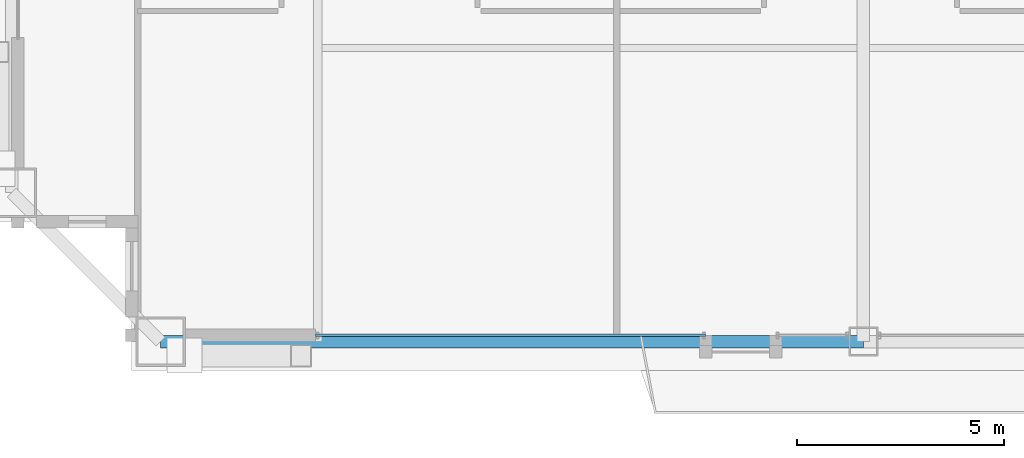
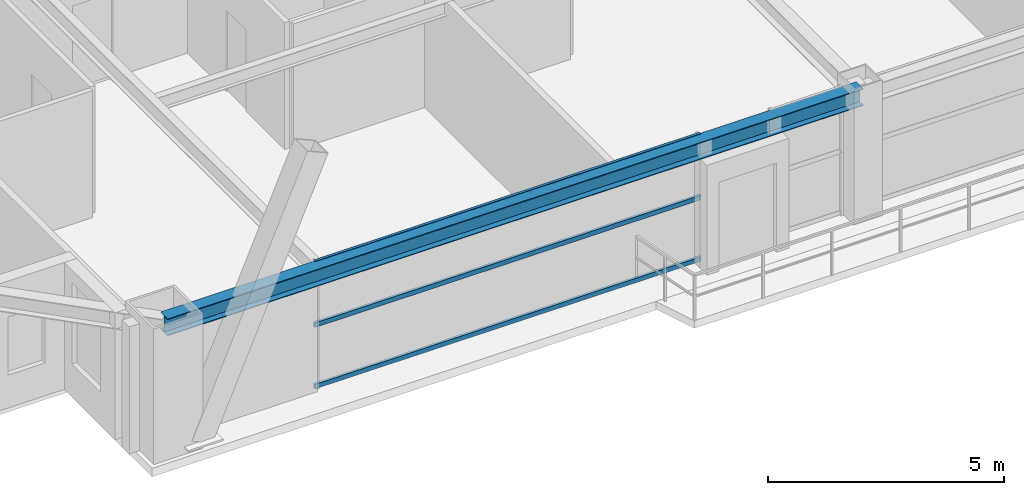
# One storey, part 4 of 33: 3 members, 1 beam, 1 element without a shape of its own.
"""IFC4 building model written with IfcOpenShell, lengths in metres."""

from ifc_helpers import new_model, si_unit, direction, frame, origin, origin_2d, place, context, subcontext, project, spatial, hollow_rectangle, i_section, extrude, source, transform, mapped, material, layer, layer_set, material_profile, profile_set, type_object, element, aggregate, save


model = new_model("IFC4")

# Units and contexts
model_context = context("Model", 3, precision=1e-05, world=origin(), true_north=direction((0.0, 1.0)))
body_context = subcontext(model_context, "Body", "Model", "MODEL_VIEW")
ifc_project = project(units=[si_unit("LENGTHUNIT", "METRE"), si_unit("AREAUNIT", "SQUARE_METRE"), si_unit("VOLUMEUNIT", "CUBIC_METRE"), si_unit("PLANEANGLEUNIT", "RADIAN"), si_unit("MASSUNIT", "GRAM", prefix="KILO"), si_unit("THERMODYNAMICTEMPERATUREUNIT", "KELVIN"), si_unit("POWERUNIT", "WATT")], contexts=[model_context])

# Site, building, storey
site_placement = place(None, origin())
site = spatial("IfcSite", under=ifc_project, at=site_placement, CompositionType="ELEMENT")
building_placement = place(site_placement, origin())
building = spatial("IfcBuilding", under=site, at=building_placement, Name="Yuzanri Waterfront Tower", CompositionType="ELEMENT")
storey_placement = place(building_placement, frame((0.0, 0.0, 234.60009765625)))
storey = spatial("IfcBuildingStorey", under=building, at=storey_placement, Name="L62", CompositionType="ELEMENT", Elevation=234.60009765625)

# Beam
ifc_material_1 = material(Name="Steel Q355B", Category="steel")
ifc_material_profile_1 = material_profile(ifc_material_1, i_section(OverallWidth=0.300048828125, OverallDepth=0.43994140625, WebThickness=0.010986328125, FlangeThickness=0.01806640625, at=origin_2d()), Name="HM 440x300x11x18")
ifc_profile_set_1 = profile_set([ifc_material_profile_1], Name="Steel Q355B")
beam_type = type_object("IfcBeamType", Name="Perimeter Spandrel Q355B HM 440x300", PredefinedType="SPANDREL", material=ifc_profile_set_1)
shared_shape_1 = source(origin(), body_context, "Body", "SweptSolid", [
    extrude(i_section(OverallWidth=0.300048828125, OverallDepth=0.43994140625, WebThickness=0.010986328125, FlangeThickness=0.01806640625, at=origin_2d()), origin(), (0.0, 0.0, 1.0), 17.0),
])
beam_placement = place(storey_placement, frame((20.0, 5.199951171875, 3.059814453125), z_axis=(1.0, 0.0, 0.0), x_axis=(0.0, 1.0, 0.0)))
element("IfcBeam", 1, at=beam_placement, inside=storey, type_object=beam_type, Name="L62 Perimeter Spandrel S1-S2", PredefinedType="SPANDREL", context=body_context, shape_type="MappedRepresentation", body=[
    mapped(shared_shape_1, transform((0.0, 0.0, 0.0), scale=1.0)),
])

# Curtain wall, members
ifc_material_2 = material(Name="Anodized Architectural Bronze", Category="metal")
ifc_layer = layer(ifc_material_2, 0.159912109375)
ifc_layer_set = layer_set([ifc_layer], Name="Anodized Architectural Bronze")
curtain_wall_type = type_object("IfcCurtainWallType", Name="Anodized Bronze Mid-Rise Residential Acoustic Unitized Curtain Wall 7200", PredefinedType="NOTDEFINED", material=ifc_layer_set)
curtain_wall_placement = place(storey_placement, origin())
curtain_wall = element("IfcCurtainWall", 2, at=curtain_wall_placement, inside=storey, type_object=curtain_wall_type, Name="L62 Curtain Wall CW-L62-SL1", PredefinedType="NOTDEFINED")
ifc_material_3 = material(Name="Anodized Architectural Bronze", Category="metal")
ifc_material_profile_2 = material_profile(ifc_material_3, hollow_rectangle(XDim=0.06494140625, YDim=0.1201171875, WallThickness=0.00341796875, at=origin_2d()), Name="CWT 65x120")
ifc_profile_set_2 = profile_set([ifc_material_profile_2], Name="Anodized Architectural Bronze")
member_type = type_object("IfcMemberType", Name="Anodized Bronze Secondary Curtain-Wall Transom 65x120", PredefinedType="USERDEFINED", material=ifc_profile_set_2)
shared_shape_2 = source(origin(), body_context, "Body", "SweptSolid", [
    extrude(hollow_rectangle(XDim=0.06494140625, YDim=0.1201171875, WallThickness=0.00341796875, at=origin_2d()), origin(), (0.0, 0.0, 1.0), 9.431884765625),
])
member_1_placement = place(storey_placement, frame((23.75, 5.35009765625, 0.0498046875), z_axis=(1.0, 0.0, 0.0), x_axis=(0.0, 1.0, 0.0)))
member_1 = element("IfcMember", 3, at=member_1_placement, type_object=member_type, Name="CW-L62-SL1 Transom 1", ObjectType="TRANSOM", PredefinedType="USERDEFINED", context=body_context, shape_type="MappedRepresentation", body=[
    mapped(shared_shape_2, transform((0.0, 0.0, 0.0), scale=1.0)),
])
member_2_placement = place(storey_placement, frame((23.75, 5.35009765625, 1.639892578125), z_axis=(1.0, 0.0, 0.0), x_axis=(0.0, 1.0, 0.0)))
member_2 = element("IfcMember", 4, at=member_2_placement, type_object=member_type, Name="CW-L62-SL1 Transom 2", ObjectType="TRANSOM", PredefinedType="USERDEFINED", context=body_context, shape_type="MappedRepresentation", body=[
    mapped(shared_shape_2, transform((0.0, 0.0, 0.0), scale=1.0)),
])
member_3_placement = place(storey_placement, frame((23.75, 5.35009765625, 3.22998046875), z_axis=(1.0, 0.0, 0.0), x_axis=(0.0, 1.0, 0.0)))
member_3 = element("IfcMember", 5, at=member_3_placement, type_object=member_type, Name="CW-L62-SL1 Transom 3", ObjectType="TRANSOM", PredefinedType="USERDEFINED", context=body_context, shape_type="MappedRepresentation", body=[
    mapped(shared_shape_2, transform((0.0, 0.0, 0.0), scale=1.0)),
])
aggregate(curtain_wall, [member_1, member_2, member_3])

save(model, "model.ifc")
